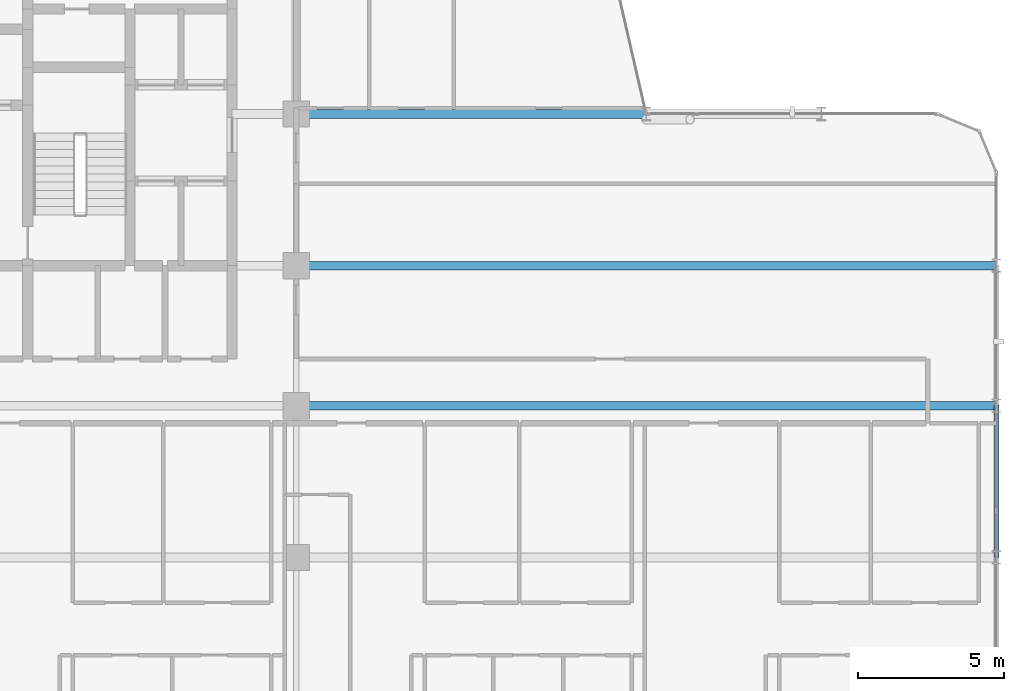
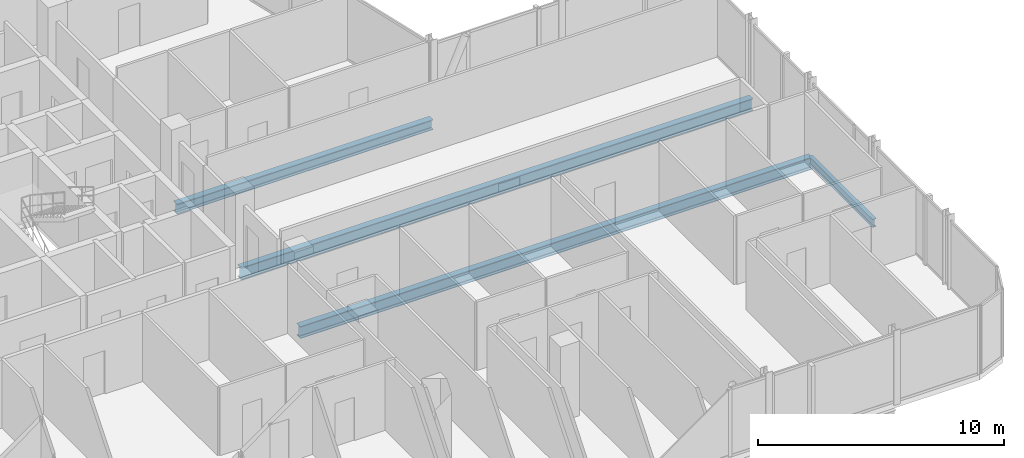
# One storey, part 13 of 29: 4 beams.
"""IFC4 building model written with IfcOpenShell, lengths in metres."""

from ifc_helpers import new_model, si_unit, direction, frame, origin, origin_2d, place, context, subcontext, project, spatial, i_section, extrude, material, material_profile, profile_set, type_object, element, save


model = new_model("IFC4")

# Units and contexts
model_context = context("Model", 3, precision=1e-05, world=origin(), true_north=direction((0.0, 1.0)))
body_context = subcontext(model_context, "Body", "Model", "MODEL_VIEW")
ifc_project = project(units=[si_unit("LENGTHUNIT", "METRE"), si_unit("AREAUNIT", "SQUARE_METRE"), si_unit("VOLUMEUNIT", "CUBIC_METRE"), si_unit("PLANEANGLEUNIT", "RADIAN"), si_unit("MASSUNIT", "GRAM", prefix="KILO")], contexts=[model_context])

# Site, building, storey
site_placement = place(None, origin())
site = spatial("IfcSite", under=ifc_project, at=site_placement, CompositionType="ELEMENT")
building_placement = place(site_placement, origin())
building = spatial("IfcBuilding", under=site, at=building_placement, Name="Keshet Zoharim Tower", CompositionType="ELEMENT")
storey_placement = place(building_placement, frame((0.0, 0.0, 172.800048828125)))
storey = spatial("IfcBuildingStorey", under=building, at=storey_placement, Name="L42", CompositionType="ELEMENT", Elevation=172.800048828125)

# Beams
ifc_material = material(Name="Steel S355", Category="steel")
ifc_material_profile_1 = material_profile(ifc_material, i_section(OverallWidth=0.300048828125, OverallDepth=0.60009765625, WebThickness=0.015380859375, FlangeThickness=0.030029296875, FilletRadius=0.027099609375, at=origin_2d()), Name="HEB600")
ifc_profile_set_1 = profile_set([ifc_material_profile_1], Name="Steel S355")
beam_type_1 = type_object("IfcBeamType", Name="BM-LNG-HB600", PredefinedType="BEAM", material=ifc_profile_set_1)
for number, where, z_axis, x_axis, name in (
    (1, (33.0, 17.89990234375, -0.610107421875), (1.0, 0.0, 0.0), (0.0, 1.0, 0.0), "L42 Primary Girder X-013"),
    (2, (33.0, 22.699951171875, -0.610107421875), (1.0, 0.0, 0.0), (0.0, 1.0, 0.0), "L42 Primary Girder X-014"),
):
    element("IfcBeam", number, at=place(storey_placement, frame(where, z_axis=z_axis, x_axis=x_axis)), inside=storey, type_object=beam_type_1, Name=name, PredefinedType="BEAM", context=body_context, shape_type="SweptSolid", body=[
        extrude(i_section(OverallWidth=0.300048828125, OverallDepth=0.60009765625, WebThickness=0.015380859375, FlangeThickness=0.030029296875, FilletRadius=0.027099609375, at=origin_2d()), origin(), (0.0, 0.0, 1.0), 24.0),
    ])
ifc_material_profile_2 = material_profile(ifc_material, i_section(OverallWidth=0.300048828125, OverallDepth=0.5, WebThickness=0.014404296875, FlangeThickness=0.028076171875, FilletRadius=0.027099609375, at=origin_2d()), Name="HEB500")
ifc_profile_set_2 = profile_set([ifc_material_profile_2], Name="Steel S355")
beam_type_2 = type_object("IfcBeamType", Name="BM-MED-HB500", PredefinedType="BEAM", material=ifc_profile_set_2)
beam_1_placement = place(storey_placement, frame((33.0, 27.89990234375, -0.56005859375), z_axis=(1.0, 0.0, 0.0), x_axis=(0.0, 1.0, 0.0)))
element("IfcBeam", 3, at=beam_1_placement, inside=storey, type_object=beam_type_2, Name="L42 Primary Girder X-015", PredefinedType="BEAM", context=body_context, shape_type="SweptSolid", body=[
    extrude(i_section(OverallWidth=0.300048828125, OverallDepth=0.5, WebThickness=0.014404296875, FlangeThickness=0.028076171875, FilletRadius=0.027099609375, at=origin_2d()), origin(), (0.0, 0.0, 1.0), 12.0),
])
ifc_material_profile_3 = material_profile(ifc_material, i_section(OverallWidth=0.179931640625, OverallDepth=0.39990234375, WebThickness=0.008544921875, FlangeThickness=0.013427734375, FilletRadius=0.02099609375, at=origin_2d()), Name="IPE400")
ifc_profile_set_3 = profile_set([ifc_material_profile_3], Name="Steel S355")
beam_type_3 = type_object("IfcBeamType", Name="BM-PRI-IP400", PredefinedType="BEAM", material=ifc_profile_set_3)
beam_2_placement = place(storey_placement, frame((57.0, 12.699951171875, -0.510009765625), z_axis=(0.0, 1.0, 0.0), x_axis=(-1.0, 0.0, 0.0)))
element("IfcBeam", 4, at=beam_2_placement, inside=storey, type_object=beam_type_3, Name="L42 Primary Girder Y-014", PredefinedType="BEAM", context=body_context, shape_type="SweptSolid", body=[
    extrude(i_section(OverallWidth=0.179931640625, OverallDepth=0.39990234375, WebThickness=0.008544921875, FlangeThickness=0.013427734375, FilletRadius=0.02099609375, at=origin_2d()), origin(), (0.0, 0.0, 1.0), 5.199951171875),
])

save(model, "model.ifc")
